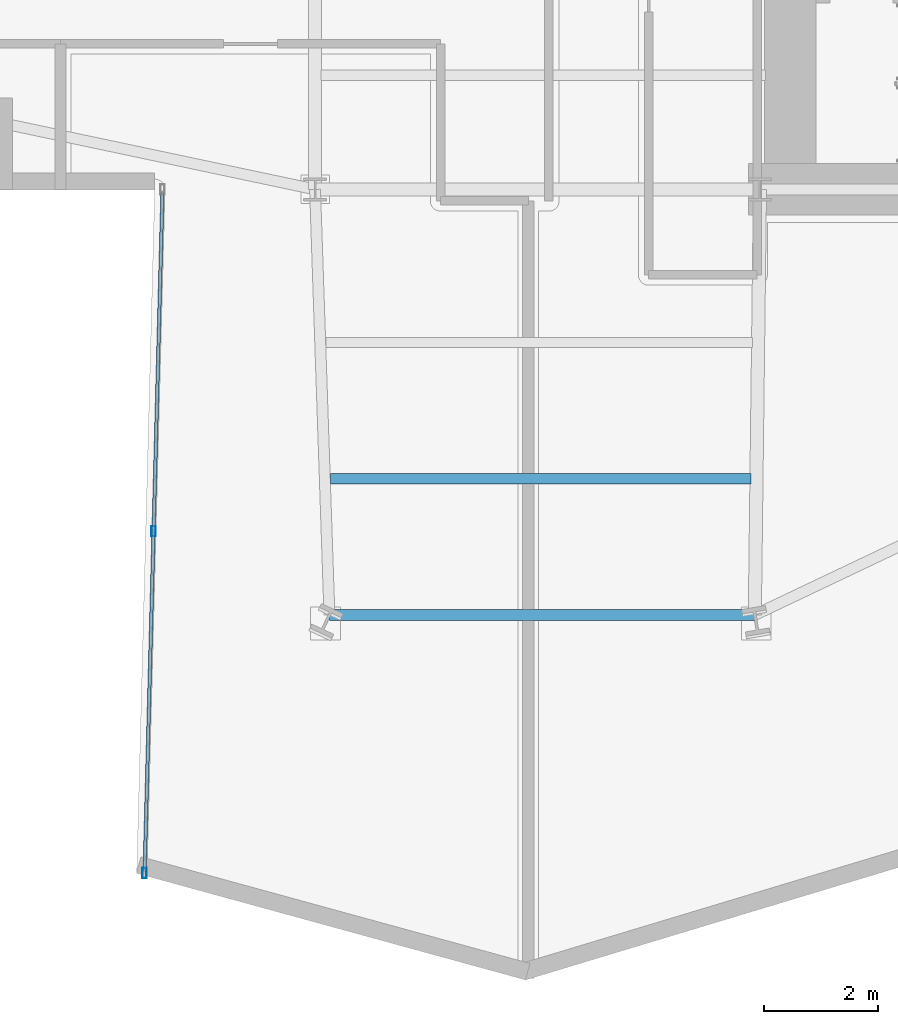
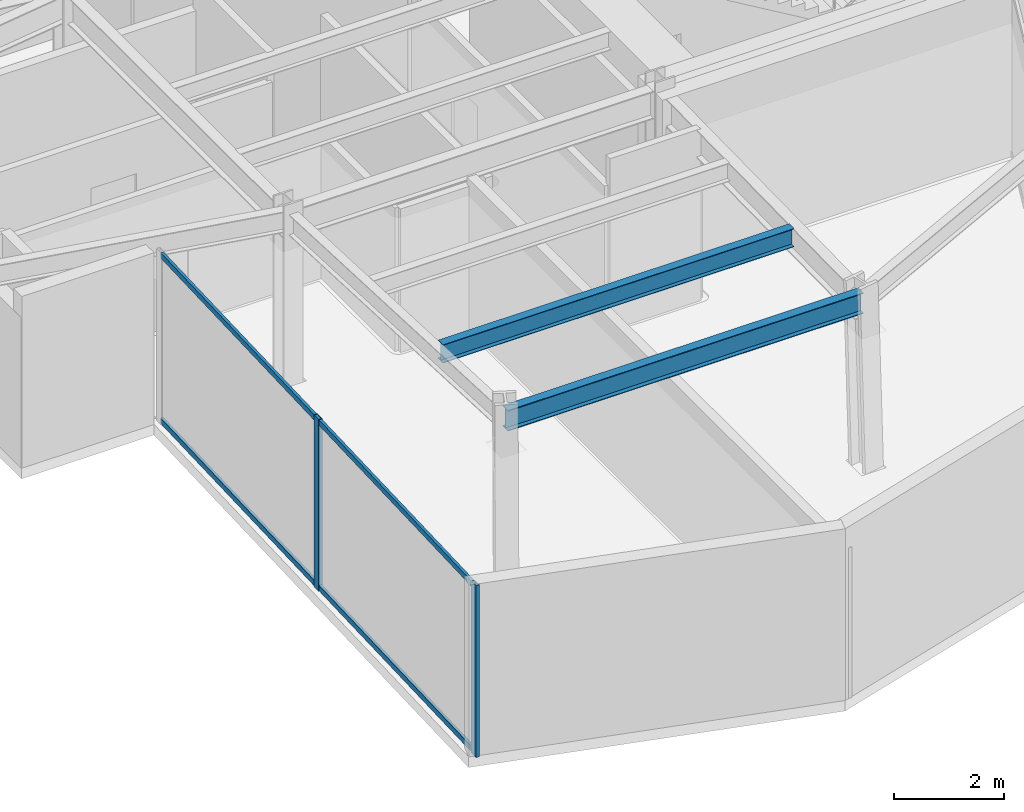
# One storey, part 6 of 31: 4 members, 2 beams, 1 element without a shape of its own.
"""IFC4 building model written with IfcOpenShell, lengths in metres."""

from ifc_helpers import new_model, si_unit, direction, frame, origin, origin_2d, place, context, subcontext, project, spatial, hollow_rectangle, i_section, extrude, material, layer, layer_set, material_profile, profile_set, type_object, element, aggregate, save


model = new_model("IFC4")

# Units and contexts
model_context = context("Model", 3, precision=1e-05, world=origin(), true_north=direction((0.0, 1.0)))
body_context = subcontext(model_context, "Body", "Model", "MODEL_VIEW")
ifc_project = project(units=[si_unit("LENGTHUNIT", "METRE"), si_unit("AREAUNIT", "SQUARE_METRE"), si_unit("VOLUMEUNIT", "CUBIC_METRE"), si_unit("PLANEANGLEUNIT", "RADIAN"), si_unit("MASSUNIT", "GRAM", prefix="KILO")], contexts=[model_context])

# Site, building, storey
site_placement = place(None, origin())
site = spatial("IfcSite", under=ifc_project, at=site_placement, CompositionType="ELEMENT")
building_placement = place(site_placement, origin())
building = spatial("IfcBuilding", under=site, at=building_placement, Name="Veymaron Broadcast Tower", CompositionType="ELEMENT")
storey_placement = place(building_placement, frame((0.0, 0.0, 70.199951171875)))
storey = spatial("IfcBuildingStorey", under=building, at=storey_placement, Name="L15", CompositionType="ELEMENT", Elevation=70.199951171875)

# Beams
ifc_material_1 = material(Name="Structural steel ASTM A992 Gr 50", Category="steel")
ifc_material_profile_1 = material_profile(ifc_material_1, i_section(OverallWidth=0.177978515625, OverallDepth=0.406982421875, WebThickness=0.0078125, FlangeThickness=0.0126953125, at=origin_2d()), Name="W410X60")
ifc_profile_set_1 = profile_set([ifc_material_profile_1], Name="Structural steel ASTM A992 Gr 50")
beam_type_1 = type_object("IfcBeamType", Name="BM-JS1", PredefinedType="JOIST", material=ifc_profile_set_1)
beam_1_placement = place(storey_placement, frame((31.471435546875, 10.92724609375, 3.6064453125), z_axis=(1.0, 0.0, 0.0), x_axis=(0.0, 1.0, 0.0)))
element("IfcBeam", 1, at=beam_1_placement, inside=storey, type_object=beam_type_1, Name="L15 Arm-C secondary joist 2", PredefinedType="JOIST", context=body_context, shape_type="SweptSolid", body=[
    extrude(i_section(OverallWidth=0.177978515625, OverallDepth=0.406982421875, WebThickness=0.0078125, FlangeThickness=0.0126953125, at=origin_2d()), origin(), (0.0, 0.0, 1.0), 7.367431640625),
])
ifc_material_profile_2 = material_profile(ifc_material_1, i_section(OverallWidth=0.19091796875, OverallDepth=0.4599609375, WebThickness=0.010009765625, FlangeThickness=0.01611328125, at=origin_2d()), Name="W460X82")
ifc_profile_set_2 = profile_set([ifc_material_profile_2], Name="Structural steel ASTM A992 Gr 50")
beam_type_2 = type_object("IfcBeamType", Name="BM-SP1", PredefinedType="SPANDREL", material=ifc_profile_set_2)
beam_2_placement = place(storey_placement, frame((31.451904296875, 8.5400390625, 3.580078125), z_axis=(1.0, 0.0, 0.0), x_axis=(0.0, 1.0, 0.0)))
element("IfcBeam", 2, at=beam_2_placement, inside=storey, type_object=beam_type_2, Name="L15 primary structural floor girder", PredefinedType="SPANDREL", context=body_context, shape_type="SweptSolid", body=[
    extrude(i_section(OverallWidth=0.19091796875, OverallDepth=0.4599609375, WebThickness=0.010009765625, FlangeThickness=0.01611328125, at=origin_2d()), origin(), (0.0, 0.0, 1.0), 7.4580078125),
])

# Curtain wall, members
ifc_material_2 = material(Name="Anodised aluminium AA 6063-T6 and laminated low-E dark glass", Category="aluminium")
ifc_layer = layer(ifc_material_2, 0.179931640625)
ifc_layer_set = layer_set([ifc_layer], Name="Anodised aluminium AA 6063-T6 and laminated low-E dark glass")
curtain_wall_type = type_object("IfcCurtainWallType", Name="CW-SYS-02", PredefinedType="NOTDEFINED", material=ifc_layer_set)
curtain_wall_placement = place(storey_placement, origin())
curtain_wall = element("IfcCurtainWall", 3, at=curtain_wall_placement, inside=storey, type_object=curtain_wall_type, Name="L15 dark-glass curtain wall CW-L15-E17-1", PredefinedType="NOTDEFINED")
ifc_material_3 = material(Name="Anodised aluminium AA 6063-T6", Category="aluminium")
ifc_material_profile_3 = material_profile(ifc_material_3, hollow_rectangle(XDim=0.074951171875, YDim=0.179931640625, WallThickness=0.0048828125, at=origin_2d()), Name="AL180X75X5")
ifc_profile_set_3 = profile_set([ifc_material_profile_3], Name="Anodised aluminium AA 6063-T6")
member_type_1 = type_object("IfcMemberType", Name="CW-MUL-02", PredefinedType="MULLION", material=ifc_profile_set_3)
member_1_placement = place(storey_placement, frame((28.369384765625, 10.005859375, 0.0), z_axis=(0.0, 0.0, 1.0), x_axis=(1.0, 0.0, 0.0)))
member_1 = element("IfcMember", 4, at=member_1_placement, type_object=member_type_1, Name="CW-L15-E17-1 mullion 1", PredefinedType="MULLION", context=body_context, shape_type="SweptSolid", body=[
    extrude(hollow_rectangle(XDim=0.074951171875, YDim=0.179931640625, WallThickness=0.0048828125, at=origin_2d()), origin(), (0.0, 0.0, 1.0), 3.81005859375),
])
member_2_placement = place(storey_placement, frame((28.2119140625, 4.015380859375, 0.0), z_axis=(0.0, 0.0, 1.0), x_axis=(1.0, 0.0, 0.0)))
member_2 = element("IfcMember", 5, at=member_2_placement, type_object=member_type_1, Name="CW-L15-E17-1 mullion 2", PredefinedType="MULLION", context=body_context, shape_type="SweptSolid", body=[
    extrude(hollow_rectangle(XDim=0.074951171875, YDim=0.179931640625, WallThickness=0.0048828125, at=origin_2d()), origin(), (0.0, 0.0, 1.0), 3.81005859375),
])
ifc_material_profile_4 = material_profile(ifc_material_3, hollow_rectangle(XDim=0.06005859375, YDim=0.1201171875, WallThickness=0.00390625, at=origin_2d()), Name="AL120X60X4")
ifc_profile_set_4 = profile_set([ifc_material_profile_4], Name="Anodised aluminium AA 6063-T6")
member_type_2 = type_object("IfcMemberType", Name="CW-TRN-02", PredefinedType="USERDEFINED", material=ifc_profile_set_4)
member_3_placement = place(storey_placement, frame((28.525634765625, 15.9462890625, 0.070068359375), z_axis=(-0.026293177264, -0.999654274652, 0.0), x_axis=(0.999654274652, -0.026293177264, 0.0)))
member_3 = element("IfcMember", 6, at=member_3_placement, type_object=member_type_2, Name="CW-L15-E17-1 transom B", ObjectType="TRANSOM", PredefinedType="USERDEFINED", context=body_context, shape_type="SweptSolid", body=[
    extrude(hollow_rectangle(XDim=0.06005859375, YDim=0.1201171875, WallThickness=0.00390625, at=origin_2d()), origin(), (0.0, 0.0, 1.0), 11.88525390625),
])
member_4_placement = place(storey_placement, frame((28.525634765625, 15.9462890625, 3.739990234375), z_axis=(-0.026293177264, -0.999654274652, 0.0), x_axis=(0.999654274652, -0.026293177264, 0.0)))
member_4 = element("IfcMember", 7, at=member_4_placement, type_object=member_type_2, Name="CW-L15-E17-1 transom T", ObjectType="TRANSOM", PredefinedType="USERDEFINED", context=body_context, shape_type="SweptSolid", body=[
    extrude(hollow_rectangle(XDim=0.06005859375, YDim=0.1201171875, WallThickness=0.00390625, at=origin_2d()), origin(), (0.0, 0.0, 1.0), 11.88525390625),
])
aggregate(curtain_wall, [member_1, member_2, member_3, member_4])

save(model, "model.ifc")
